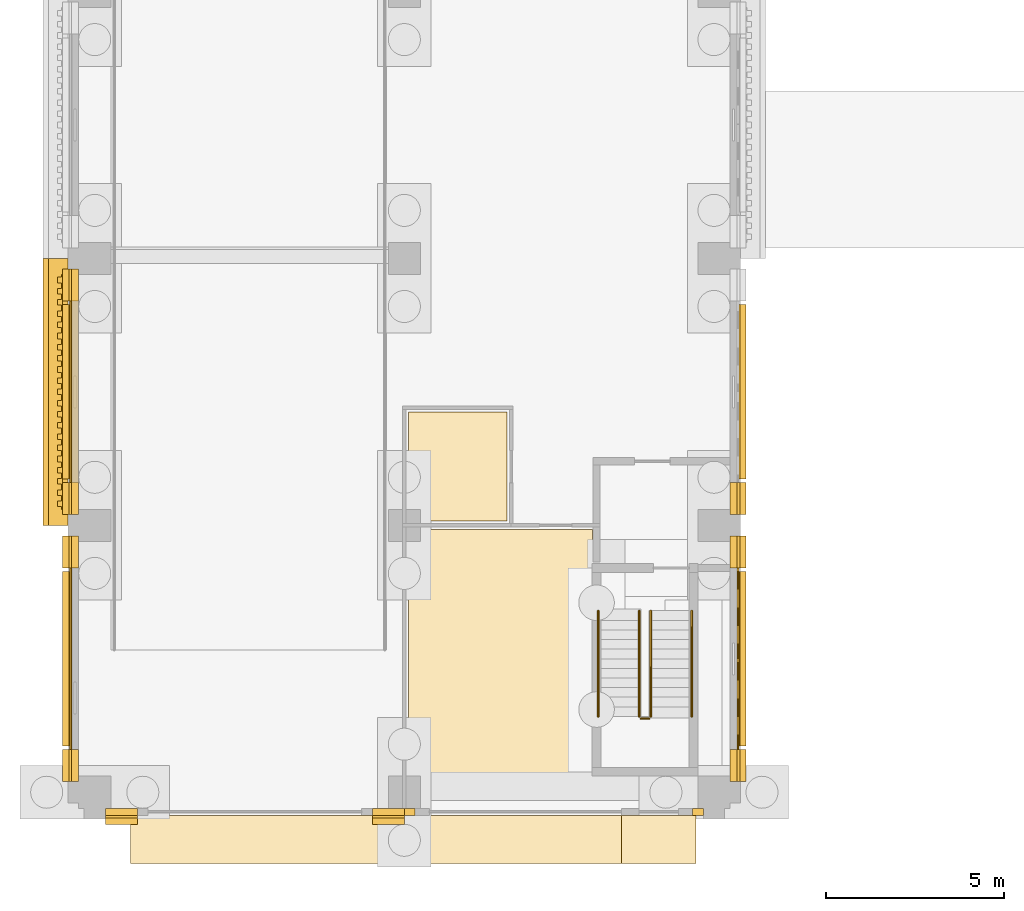
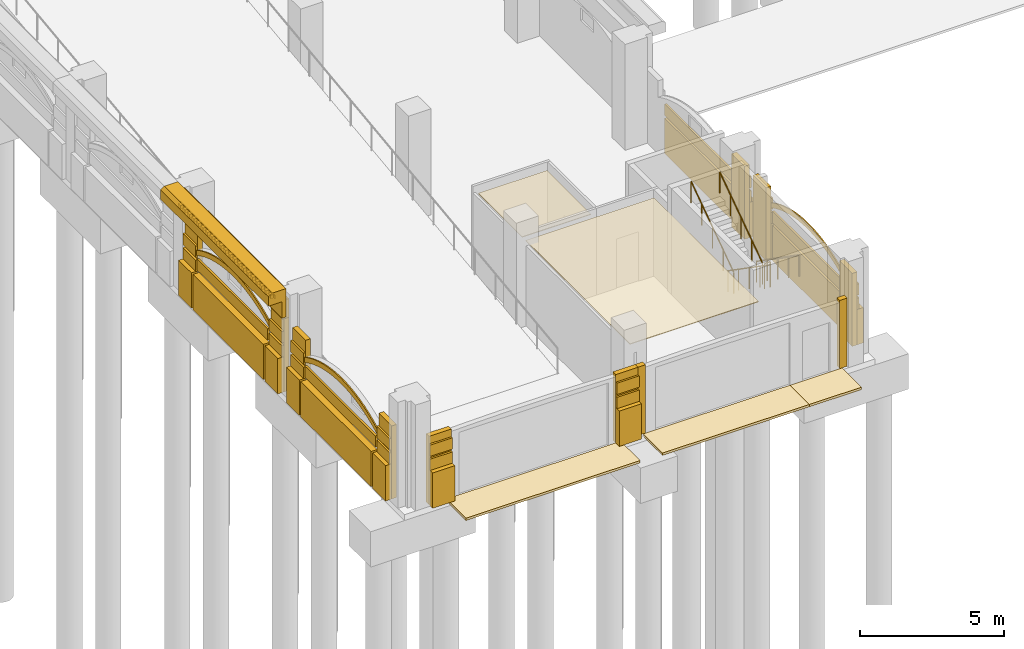
# One storey, part 60 of 99: 57 coverings, 5 railings.
"""IFC4 building model written with IfcOpenShell, lengths in metres."""

from ifc_helpers import new_model, si_unit, direction, frame, origin, origin_2d, place, context, subcontext, project, spatial, polyline, circle, outline, extrude, material, layer, layer_set, type_object, element, save


model = new_model("IFC4")

# Units and contexts
model_context = context("Model", 3, precision=1e-05, world=origin(), true_north=direction((0.0, 1.0)))
body_context = subcontext(model_context, "Body", "Model", "MODEL_VIEW")
ifc_project = project(units=[si_unit("LENGTHUNIT", "METRE"), si_unit("AREAUNIT", "SQUARE_METRE"), si_unit("VOLUMEUNIT", "CUBIC_METRE"), si_unit("PLANEANGLEUNIT", "RADIAN"), si_unit("MASSUNIT", "GRAM", prefix="KILO")], contexts=[model_context])

# Site, building, storey
site_placement = place(None, origin())
site = spatial("IfcSite", under=ifc_project, at=site_placement, CompositionType="ELEMENT")
building_placement = place(site_placement, origin())
building = spatial("IfcBuilding", under=site, at=building_placement, Name="Cour d'Honneur Mobility Palace", CompositionType="ELEMENT")
storey_placement = place(building_placement, origin())
storey = spatial("IfcBuildingStorey", under=building, at=storey_placement, Name="L00", CompositionType="ELEMENT", Elevation=0.0)

# Coverings
ifc_material_1 = material(Name="Cast limestone", Category="masonry")
ifc_layer_1 = layer(ifc_material_1, 0.050048828125)
ifc_layer_set_1 = layer_set([ifc_layer_1], Name="Cast limestone")
covering_type_1 = type_object("IfcCoveringType", Name="Arch hood", PredefinedType="CLADDING", material=ifc_layer_set_1)
for number, where, z_axis, x_axis, name in (
    (1, (18.10009765625, 1.199951171875, 2.179931640625), (1.0, 0.0, 0.0), (0.0, 0.893604607308, 0.448854994176), "Arch hood AH-1"),
    (2, (-0.699951171875, 13.800048828125, 2.179931640625), (-1.0, 0.0, 0.0), (0.0, -0.893604607308, 0.448854994176), "Arch hood AH-58"),
    (3, (-0.699951171875, 6.300048828125, 2.179931640625), (-1.0, 0.0, 0.0), (0.0, -0.893604607308, 0.448854994176), "Arch hood AH-59"),
):
    element("IfcCovering", number, at=place(storey_placement, frame(where, z_axis=z_axis, x_axis=x_axis)), inside=storey, type_object=covering_type_1, Name=name, PredefinedType="CLADDING", context=body_context, shape_type="SweptSolid", body=[
        extrude(outline(polyline([(0.0, 0.0), (0.35681066731556765, 2.7755575615628914e-17), (0.7020064606072944, -0.022579595743628944), (1.0367907964215308, -0.06643079839719385), (1.3617125957426337, -0.129916867910564), (1.677101612077335, -0.2118373946082709), (1.9837229270167351, -0.31175705040594615), (2.2813593776637964, -0.4290203374513023), (2.570556878131994, -0.5636282580346337), (2.8512068469728096, -0.7152530632297959), (3.1229815352600987, -0.884003334485308), (3.3862076896297117, -1.070316404466126), (3.640229812229361, -1.2744094360692875), (3.885155482217271, -1.4971560923344107), (4.120218615712047, -1.7395376154593394), (4.344433961354672, -2.0029715780165787), (4.557470763348117, -2.2892043037950724), (4.656205712018263, -2.0926374700096892), (4.44327849376363, -1.8061865790438643), (4.218953564382193, -1.5429707816739562), (3.9838904308874175, -1.3005892585490275), (3.73907434463832, -1.0776244370965733), (3.484942638299858, -0.873749570680743), (3.221716483930245, -0.6874365006999249), (2.949941795642956, -0.5186862294444128), (2.6692918268021404, -0.3670614242492506), (2.3800943263339427, -0.23245350366591921), (2.0824578756868815, -0.11519021662056306), (1.7758365607474815, -0.015270560822887802), (1.460557128151593, 0.06686813106215028), (1.1355257450916771, 0.1301360353881893), (0.8007414092774409, 0.17398723804175414), (0.4556551997245267, 0.1967849989727143), (0.09873494867014648, 0.19656683378538312), (0.0, 0.0)])), origin(), (0.0, 0.0, -1.0), 0.050048828125),
    ])
ifc_material_2 = material(Name="Cast limestone", Category="masonry")
ifc_layer_2 = layer(ifc_material_2, 0.14990234375)
ifc_layer_set_2 = layer_set([ifc_layer_2], Name="Cast limestone")
covering_type_2 = type_object("IfcCoveringType", Name="Dentil course", PredefinedType="CLADDING", material=ifc_layer_set_2)
covering_1_placement = place(storey_placement, frame((0.0, 0.0, 3.949951171875)))
element("IfcCovering", 4, at=covering_1_placement, inside=storey, type_object=covering_type_2, Name="Dentil course DC-69", PredefinedType="CLADDING", context=body_context, shape_type="SweptSolid", body=[
    extrude(outline(polyline([(-0.89990234375, 14.550048828125), (-0.89990234375, 7.949951171875), (-0.929931640625, 7.949951171875), (-0.929931640625, 7.949951171875), (-0.929931640625, 8.028564453125), (-1.050048828125, 8.028564453125), (-1.050048828125, 8.185791015625), (-0.929931640625, 8.185791015625), (-0.929931640625, 8.264404296875), (-0.929931640625, 8.264404296875), (-0.929931640625, 8.3427734375), (-1.050048828125, 8.3427734375), (-1.050048828125, 8.5), (-0.929931640625, 8.5), (-0.929931640625, 8.57861328125), (-0.929931640625, 8.57861328125), (-0.929931640625, 8.6572265625), (-1.050048828125, 8.6572265625), (-1.050048828125, 8.814208984375), (-0.929931640625, 8.814208984375), (-0.929931640625, 8.892822265625), (-0.929931640625, 8.892822265625), (-0.929931640625, 8.971435546875), (-1.050048828125, 8.971435546875), (-1.050048828125, 9.128662109375), (-0.929931640625, 9.128662109375), (-0.929931640625, 9.20703125), (-0.929931640625, 9.20703125), (-0.929931640625, 9.28564453125), (-1.050048828125, 9.28564453125), (-1.050048828125, 9.44287109375), (-0.929931640625, 9.44287109375), (-0.929931640625, 9.521484375), (-0.929931640625, 9.521484375), (-0.929931640625, 9.60009765625), (-1.050048828125, 9.60009765625), (-1.050048828125, 9.757080078125), (-0.929931640625, 9.757080078125), (-0.929931640625, 9.835693359375), (-0.929931640625, 9.835693359375), (-0.929931640625, 9.914306640625), (-1.050048828125, 9.914306640625), (-1.050048828125, 10.071533203125), (-0.929931640625, 10.071533203125), (-0.929931640625, 10.14990234375), (-0.929931640625, 10.14990234375), (-0.929931640625, 10.228515625), (-1.050048828125, 10.228515625), (-1.050048828125, 10.3857421875), (-0.929931640625, 10.3857421875), (-0.929931640625, 10.46435546875), (-0.929931640625, 10.46435546875), (-0.929931640625, 10.54296875), (-1.050048828125, 10.54296875), (-1.050048828125, 10.699951171875), (-0.929931640625, 10.699951171875), (-0.929931640625, 10.778564453125), (-0.929931640625, 10.778564453125), (-0.929931640625, 10.857177734375), (-1.050048828125, 10.857177734375), (-1.050048828125, 11.014404296875), (-0.929931640625, 11.014404296875), (-0.929931640625, 11.0927734375), (-0.929931640625, 11.0927734375), (-0.929931640625, 11.17138671875), (-1.050048828125, 11.17138671875), (-1.050048828125, 11.32861328125), (-0.929931640625, 11.32861328125), (-0.929931640625, 11.4072265625), (-0.929931640625, 11.4072265625), (-0.929931640625, 11.485595703125), (-1.050048828125, 11.485595703125), (-1.050048828125, 11.642822265625), (-0.929931640625, 11.642822265625), (-0.929931640625, 11.721435546875), (-0.929931640625, 11.721435546875), (-0.929931640625, 11.800048828125), (-1.050048828125, 11.800048828125), (-1.050048828125, 11.95703125), (-0.929931640625, 11.95703125), (-0.929931640625, 12.03564453125), (-0.929931640625, 12.03564453125), (-0.929931640625, 12.1142578125), (-1.050048828125, 12.1142578125), (-1.050048828125, 12.271484375), (-0.929931640625, 12.271484375), (-0.929931640625, 12.35009765625), (-0.929931640625, 12.35009765625), (-0.929931640625, 12.428466796875), (-1.050048828125, 12.428466796875), (-1.050048828125, 12.585693359375), (-0.929931640625, 12.585693359375), (-0.929931640625, 12.664306640625), (-0.929931640625, 12.664306640625), (-0.929931640625, 12.742919921875), (-1.050048828125, 12.742919921875), (-1.050048828125, 12.89990234375), (-0.929931640625, 12.89990234375), (-0.929931640625, 12.978515625), (-0.929931640625, 12.978515625), (-0.929931640625, 13.05712890625), (-1.050048828125, 13.05712890625), (-1.050048828125, 13.21435546875), (-0.929931640625, 13.21435546875), (-0.929931640625, 13.29296875), (-0.929931640625, 13.29296875), (-0.929931640625, 13.371337890625), (-1.050048828125, 13.371337890625), (-1.050048828125, 13.528564453125), (-0.929931640625, 13.528564453125), (-0.929931640625, 13.607177734375), (-0.929931640625, 13.607177734375), (-0.929931640625, 13.685791015625), (-1.050048828125, 13.685791015625), (-1.050048828125, 13.8427734375), (-0.929931640625, 13.8427734375), (-0.929931640625, 13.92138671875), (-0.929931640625, 13.92138671875), (-0.929931640625, 14.0), (-1.050048828125, 14.0), (-1.050048828125, 14.1572265625), (-0.929931640625, 14.1572265625), (-0.929931640625, 14.235595703125), (-0.929931640625, 14.235595703125), (-0.929931640625, 14.314208984375), (-1.050048828125, 14.314208984375), (-1.050048828125, 14.471435546875), (-0.929931640625, 14.471435546875), (-0.929931640625, 14.550048828125), (-0.89990234375, 14.550048828125)])), origin(), (0.0, 0.0, 1.0), 0.150146484375),
])
ifc_material_3 = material(Name="Cast limestone", Category="masonry")
ifc_layer_3 = layer(ifc_material_3, 0.699951171875)
ifc_layer_set_3 = layer_set([ifc_layer_3], Name="Cast limestone")
covering_type_3 = type_object("IfcCoveringType", Name="Entablature", PredefinedType="CLADDING", material=ifc_layer_set_3)
covering_2_placement = place(storey_placement, frame((-0.75, 15.0, 3.39990234375), z_axis=(0.0, 1.0, 0.0), x_axis=(-1.0, 0.0, 0.0)))
element("IfcCovering", 5, at=covering_2_placement, inside=storey, type_object=covering_type_3, Name="Entablature EN-69", PredefinedType="CLADDING", context=body_context, shape_type="SweptSolid", body=[
    extrude(outline(polyline([(0.0, 0.0), (0.14990234375, 0.0), (0.14990234375, 0.7001953125), (0.699951171875, 0.7001953125), (0.699951171875, 1.10009765625), (0.550048828125, 1.2001953125), (0.0, 1.2001953125), (0.0, 0.0)])), origin(), (0.0, 0.0, -1.0), 7.5),
])
ifc_material_4 = material(Name="Granite paving", Category="masonry")
ifc_layer_4 = layer(ifc_material_4, 0.10009765625)
ifc_layer_set_4 = layer_set([ifc_layer_4], Name="Granite paving")
covering_type_4 = type_object("IfcCoveringType", Name="Entrance paving", PredefinedType="FLOORING", material=ifc_layer_set_4)
covering_3_placement = place(storey_placement, frame((0.0, 0.0, -0.10009765625)))
element("IfcCovering", 6, at=covering_3_placement, inside=storey, type_object=covering_type_4, Name="Entrance paving PV-1", PredefinedType="FLOORING", context=body_context, shape_type="SweptSolid", body=[
    extrude(outline(polyline([(1.0, -0.64990234375), (8.0, -0.64990234375), (8.0, -2.0), (1.0, -2.0), (1.0, -0.64990234375)])), origin(), (0.0, 0.0, 1.0), 0.10009765625),
])
covering_4_placement = place(storey_placement, frame((0.0, 0.0, -0.10009765625)))
element("IfcCovering", 7, at=covering_4_placement, inside=storey, type_object=covering_type_4, Name="Entrance paving PV-2", PredefinedType="FLOORING", context=body_context, shape_type="SweptSolid", body=[
    extrude(outline(polyline([(8.89990234375, -0.64990234375), (15.300048828125, -0.64990234375), (15.300048828125, -2.0), (8.89990234375, -2.0), (8.89990234375, -0.64990234375)])), origin(), (0.0, 0.0, 1.0), 0.10009765625),
])
covering_5_placement = place(storey_placement, frame((0.0, 0.0, -0.10009765625)))
element("IfcCovering", 8, at=covering_5_placement, inside=storey, type_object=covering_type_4, Name="Entrance paving PV-3", PredefinedType="FLOORING", context=body_context, shape_type="SweptSolid", body=[
    extrude(outline(polyline([(14.800048828125, -0.64990234375), (16.89990234375, -0.64990234375), (16.89990234375, -2.0), (14.800048828125, -2.0), (14.800048828125, -0.64990234375)])), origin(), (0.0, 0.0, 1.0), 0.10009765625),
])

# Railings
ifc_material_5 = material(Name="Painted steel", Category="steel")
railing_type_1 = type_object("IfcRailingType", Name="Guardrail 1100", PredefinedType="GUARDRAIL", material=ifc_material_5)
railing_placement = place(storey_placement, frame((15.35009765625, 2.070068359375, 2.25)))
element("IfcRailing", 9, at=railing_placement, inside=storey, type_object=railing_type_1, Name="Landing guard ST-RW1", PredefinedType="GUARDRAIL", context=body_context, shape_type="SweptSolid", body=[
    extrude(circle(Radius=0.02490234375, at=origin_2d()), frame((0.0, 0.0, 1.0751953125), z_axis=(1.0, 0.0, 0.0), x_axis=(0.0, 1.0, 0.0)), (0.0, 0.0, 1.0), 0.224853515625),
    extrude(circle(Radius=0.02099609375, at=origin_2d()), origin(), (0.0, 0.0, 1.0), 1.050048828125),
    extrude(circle(Radius=0.02099609375, at=origin_2d()), frame((0.224853515625, 0.0, 0.0)), (0.0, 0.0, 1.0), 1.050048828125),
])
ifc_material_6 = material(Name="Stainless steel", Category="steel")
railing_type_2 = type_object("IfcRailingType", Name="Handrail round 50", PredefinedType="HANDRAIL", material=ifc_material_6)
for number, where, name in (
    (10, (16.77490234375, 5.10009765625, 0.1875), "Handrail ST-RW1"),
    (11, (15.625, 5.10009765625, 0.1875), "Handrail ST-RW1"),
):
    element("IfcRailing", number, at=place(storey_placement, frame(where)), inside=storey, type_object=railing_type_2, Name=name, PredefinedType="HANDRAIL", context=body_context, shape_type="SweptSolid", body=[
        extrude(circle(Radius=0.02490234375, at=origin_2d()), frame((0.0, 0.0, 0.89501953125), z_axis=(0.0, -0.821389295411, 0.570367973667), x_axis=(1.0, 0.0, 0.0)), (0.0, 0.0, 1.0), 3.615966796875),
        extrude(circle(Radius=0.02099609375, at=origin_2d()), origin(), (0.0, 0.0, 1.0), 0.869873046875),
        extrude(circle(Radius=0.02099609375, at=origin_2d()), frame((0.0, -0.74267578125, 0.515625)), (0.0, 0.0, 1.0), 0.869873046875),
        extrude(circle(Radius=0.02099609375, at=origin_2d()), frame((0.0, -1.485107421875, 1.03125)), (0.0, 0.0, 1.0), 0.869873046875),
        extrude(circle(Radius=0.02099609375, at=origin_2d()), frame((0.0, -2.2275390625, 1.546875)), (0.0, 0.0, 1.0), 0.869873046875),
        extrude(circle(Radius=0.02099609375, at=origin_2d()), frame((0.0, -2.97021484375, 2.0625)), (0.0, 0.0, 1.0), 0.869873046875),
    ])
for number, where, name in (
    (12, (15.300048828125, 2.1298828125, 2.4375), "Handrail ST-RW1"),
    (13, (14.14990234375, 2.1298828125, 2.4375), "Handrail ST-RW1"),
):
    element("IfcRailing", number, at=place(storey_placement, frame(where)), inside=storey, type_object=railing_type_2, Name=name, PredefinedType="HANDRAIL", context=body_context, shape_type="SweptSolid", body=[
        extrude(circle(Radius=0.02490234375, at=origin_2d()), frame((0.0, 0.0, 0.89501953125), z_axis=(0.0, 0.821389295411, 0.570367973667), x_axis=(-1.0, 0.0, 0.0)), (0.0, 0.0, 1.0), 3.615966796875),
        extrude(circle(Radius=0.02099609375, at=origin_2d()), origin(), (0.0, 0.0, 1.0), 0.869873046875),
        extrude(circle(Radius=0.02099609375, at=origin_2d()), frame((0.0, 0.74267578125, 0.515625)), (0.0, 0.0, 1.0), 0.869873046875),
        extrude(circle(Radius=0.02099609375, at=origin_2d()), frame((0.0, 1.485107421875, 1.03125)), (0.0, 0.0, 1.0), 0.869873046875),
        extrude(circle(Radius=0.02099609375, at=origin_2d()), frame((0.0, 2.2275390625, 1.546875)), (0.0, 0.0, 1.0), 0.869873046875),
        extrude(circle(Radius=0.02099609375, at=origin_2d()), frame((0.0, 2.97021484375, 2.0625)), (0.0, 0.0, 1.0), 0.869873046875),
    ])

# Coverings
ifc_material_7 = material(Name="Cast limestone", Category="masonry")
ifc_layer_5 = layer(ifc_material_7, 0.25)
ifc_layer_set_5 = layer_set([ifc_layer_5], Name="Cast limestone")
covering_type_5 = type_object("IfcCoveringType", Name="Plinth course", PredefinedType="CLADDING", material=ifc_layer_set_5)
covering_6_placement = place(storey_placement, origin())
element("IfcCovering", 14, at=covering_6_placement, inside=storey, type_object=covering_type_5, Name="Plinth course PI-1", PredefinedType="CLADDING", context=body_context, shape_type="SweptSolid", body=[
    extrude(outline(polyline([(0.300048828125, -0.64990234375), (1.199951171875, -0.64990234375), (1.199951171875, -0.89990234375), (0.300048828125, -0.89990234375), (0.300048828125, -0.64990234375)])), origin(), (0.0, 0.0, 1.0), 1.5),
])
covering_7_placement = place(storey_placement, origin())
element("IfcCovering", 15, at=covering_7_placement, inside=storey, type_object=covering_type_5, Name="Plinth course PI-2", PredefinedType="CLADDING", context=body_context, shape_type="SweptSolid", body=[
    extrude(outline(polyline([(7.800048828125, -0.64990234375), (8.699951171875, -0.64990234375), (8.699951171875, -0.89990234375), (7.800048828125, -0.89990234375), (7.800048828125, -0.64990234375)])), origin(), (0.0, 0.0, 1.0), 1.5),
])
covering_8_placement = place(storey_placement, origin())
element("IfcCovering", 16, at=covering_8_placement, inside=storey, type_object=covering_type_5, Name="Plinth course PI-3", PredefinedType="CLADDING", context=body_context, shape_type="SweptSolid", body=[
    extrude(outline(polyline([(18.050048828125, 0.300048828125), (18.050048828125, 1.199951171875), (18.300048828125, 1.199951171875), (18.300048828125, 0.300048828125), (18.050048828125, 0.300048828125)])), origin(), (0.0, 0.0, 1.0), 1.5),
])
covering_9_placement = place(storey_placement, origin())
element("IfcCovering", 17, at=covering_9_placement, inside=storey, type_object=covering_type_5, Name="Plinth course PI-4", PredefinedType="CLADDING", context=body_context, shape_type="SweptSolid", body=[
    extrude(outline(polyline([(18.050048828125, 6.300048828125), (18.050048828125, 7.199951171875), (18.300048828125, 7.199951171875), (18.300048828125, 6.300048828125), (18.050048828125, 6.300048828125)])), origin(), (0.0, 0.0, 1.0), 1.5),
])
covering_10_placement = place(storey_placement, origin())
element("IfcCovering", 18, at=covering_10_placement, inside=storey, type_object=covering_type_5, Name="Plinth course PI-5", PredefinedType="CLADDING", context=body_context, shape_type="SweptSolid", body=[
    extrude(outline(polyline([(18.050048828125, 1.300048828125), (18.050048828125, 6.199951171875), (18.300048828125, 6.199951171875), (18.300048828125, 1.300048828125), (18.050048828125, 1.300048828125)])), origin(), (0.0, 0.0, 1.0), 1.5),
])
covering_11_placement = place(storey_placement, origin())
element("IfcCovering", 19, at=covering_11_placement, inside=storey, type_object=covering_type_5, Name="Plinth course PI-6", PredefinedType="CLADDING", context=body_context, shape_type="SweptSolid", body=[
    extrude(outline(polyline([(18.050048828125, 7.800048828125), (18.050048828125, 8.699951171875), (18.300048828125, 8.699951171875), (18.300048828125, 7.800048828125), (18.050048828125, 7.800048828125)])), origin(), (0.0, 0.0, 1.0), 1.5),
])
covering_12_placement = place(storey_placement, origin())
element("IfcCovering", 20, at=covering_12_placement, inside=storey, type_object=covering_type_5, Name="Plinth course PI-8", PredefinedType="CLADDING", context=body_context, shape_type="SweptSolid", body=[
    extrude(outline(polyline([(18.050048828125, 8.800048828125), (18.050048828125, 13.699951171875), (18.300048828125, 13.699951171875), (18.300048828125, 8.800048828125), (18.050048828125, 8.800048828125)])), origin(), (0.0, 0.0, 1.0), 1.5),
])
covering_13_placement = place(storey_placement, origin())
element("IfcCovering", 21, at=covering_13_placement, inside=storey, type_object=covering_type_5, Name="Plinth course PI-225", PredefinedType="CLADDING", context=body_context, shape_type="SweptSolid", body=[
    extrude(outline(polyline([(-0.64990234375, 14.699951171875), (-0.64990234375, 13.800048828125), (-0.89990234375, 13.800048828125), (-0.89990234375, 14.699951171875), (-0.64990234375, 14.699951171875)])), origin(), (0.0, 0.0, 1.0), 1.5),
])
covering_14_placement = place(storey_placement, origin())
element("IfcCovering", 22, at=covering_14_placement, inside=storey, type_object=covering_type_5, Name="Plinth course PI-226", PredefinedType="CLADDING", context=body_context, shape_type="SweptSolid", body=[
    extrude(outline(polyline([(-0.64990234375, 8.699951171875), (-0.64990234375, 7.800048828125), (-0.89990234375, 7.800048828125), (-0.89990234375, 8.699951171875), (-0.64990234375, 8.699951171875)])), origin(), (0.0, 0.0, 1.0), 1.5),
])
covering_15_placement = place(storey_placement, origin())
element("IfcCovering", 23, at=covering_15_placement, inside=storey, type_object=covering_type_5, Name="Plinth course PI-227", PredefinedType="CLADDING", context=body_context, shape_type="SweptSolid", body=[
    extrude(outline(polyline([(-0.64990234375, 13.699951171875), (-0.64990234375, 8.800048828125), (-0.89990234375, 8.800048828125), (-0.89990234375, 13.699951171875), (-0.64990234375, 13.699951171875)])), origin(), (0.0, 0.0, 1.0), 1.5),
])
covering_16_placement = place(storey_placement, origin())
element("IfcCovering", 24, at=covering_16_placement, inside=storey, type_object=covering_type_5, Name="Plinth course PI-228", PredefinedType="CLADDING", context=body_context, shape_type="SweptSolid", body=[
    extrude(outline(polyline([(-0.64990234375, 7.199951171875), (-0.64990234375, 6.300048828125), (-0.89990234375, 6.300048828125), (-0.89990234375, 7.199951171875), (-0.64990234375, 7.199951171875)])), origin(), (0.0, 0.0, 1.0), 1.5),
])
covering_17_placement = place(storey_placement, origin())
element("IfcCovering", 25, at=covering_17_placement, inside=storey, type_object=covering_type_5, Name="Plinth course PI-229", PredefinedType="CLADDING", context=body_context, shape_type="SweptSolid", body=[
    extrude(outline(polyline([(-0.64990234375, 1.199951171875), (-0.64990234375, 0.300048828125), (-0.89990234375, 0.300048828125), (-0.89990234375, 1.199951171875), (-0.64990234375, 1.199951171875)])), origin(), (0.0, 0.0, 1.0), 1.5),
])
covering_18_placement = place(storey_placement, origin())
element("IfcCovering", 26, at=covering_18_placement, inside=storey, type_object=covering_type_5, Name="Plinth course PI-230", PredefinedType="CLADDING", context=body_context, shape_type="SweptSolid", body=[
    extrude(outline(polyline([(-0.64990234375, 6.199951171875), (-0.64990234375, 1.300048828125), (-0.89990234375, 1.300048828125), (-0.89990234375, 6.199951171875), (-0.64990234375, 6.199951171875)])), origin(), (0.0, 0.0, 1.0), 1.5),
])
ifc_material_8 = material(Name="Cast limestone", Category="masonry")
ifc_layer_6 = layer(ifc_material_8, 0.199951171875)
ifc_layer_set_6 = layer_set([ifc_layer_6], Name="Cast limestone")
covering_type_6 = type_object("IfcCoveringType", Name="Rusticated jamb panel", PredefinedType="CLADDING", material=ifc_layer_set_6)
for number, where, z_axis, x_axis, name in (
    (27, (0.300048828125, -0.64990234375, 0.0), (0.0, -1.0, 0.0), (1.0, 0.0, 0.0), "Rusticated jamb panel RP-1"),
    (28, (7.800048828125, -0.64990234375, 0.0), (0.0, -1.0, 0.0), (1.0, 0.0, 0.0), "Rusticated jamb panel RP-2"),
):
    element("IfcCovering", number, at=place(storey_placement, frame(where, z_axis=z_axis, x_axis=x_axis)), inside=storey, type_object=covering_type_6, Name=name, PredefinedType="CLADDING", context=body_context, shape_type="SweptSolid", body=[
        extrude(outline(polyline([(0.0, 0.0), (0.89990234375, 0.0), (0.89990234375, 2.89990234375), (0.0, 2.89990234375), (0.0, 0.0)])), origin(), (0.0, 0.0, -1.0), 0.199951171875),
    ])
for number, where, z_axis, x_axis, name in (
    (29, (8.699951171875, -0.64990234375, 0.0), (0.0, -1.0, 0.0), (1.0, 0.0, 0.0), "Rusticated jamb panel RP-3"),
    (30, (16.800048828125, -0.64990234375, 0.0), (0.0, -1.0, 0.0), (1.0, 0.0, 0.0), "Rusticated jamb panel RP-4"),
):
    element("IfcCovering", number, at=place(storey_placement, frame(where, z_axis=z_axis, x_axis=x_axis)), inside=storey, type_object=covering_type_6, Name=name, PredefinedType="CLADDING", context=body_context, shape_type="SweptSolid", body=[
        extrude(outline(polyline([(0.0, 0.0), (0.300048828125, 0.0), (0.300048828125, 2.89990234375), (0.0, 2.89990234375), (0.0, 0.0)])), origin(), (0.0, 0.0, -1.0), 0.199951171875),
    ])
for number, where, z_axis, x_axis, name in (
    (31, (18.050048828125, 0.300048828125, 0.0), (1.0, 0.0, 0.0), (0.0, 1.0, 0.0), "Rusticated jamb panel RP-5"),
    (32, (18.050048828125, 6.300048828125, 0.0), (1.0, 0.0, 0.0), (0.0, 1.0, 0.0), "Rusticated jamb panel RP-6"),
    (33, (18.050048828125, 7.800048828125, 0.0), (1.0, 0.0, 0.0), (0.0, 1.0, 0.0), "Rusticated jamb panel RP-7"),
    (34, (-0.64990234375, 14.699951171875, 0.0), (-1.0, 0.0, 0.0), (0.0, -1.0, 0.0), "Rusticated jamb panel RP-188"),
    (35, (-0.64990234375, 8.699951171875, 0.0), (-1.0, 0.0, 0.0), (0.0, -1.0, 0.0), "Rusticated jamb panel RP-189"),
    (36, (-0.64990234375, 7.199951171875, 0.0), (-1.0, 0.0, 0.0), (0.0, -1.0, 0.0), "Rusticated jamb panel RP-190"),
    (37, (-0.64990234375, 1.199951171875, 0.0), (-1.0, 0.0, 0.0), (0.0, -1.0, 0.0), "Rusticated jamb panel RP-191"),
):
    element("IfcCovering", number, at=place(storey_placement, frame(where, z_axis=z_axis, x_axis=x_axis)), inside=storey, type_object=covering_type_6, Name=name, PredefinedType="CLADDING", context=body_context, shape_type="SweptSolid", body=[
        extrude(outline(polyline([(0.0, 0.0), (0.89990234375, 0.0), (0.89990234375, 3.10009765625), (0.0, 3.10009765625), (0.0, 0.0)])), origin(), (0.0, 0.0, -1.0), 0.199951171875),
    ])
ifc_material_9 = material(Name="Cast limestone", Category="masonry")
ifc_layer_7 = layer(ifc_material_9, 0.080078125)
ifc_layer_set_7 = layer_set([ifc_layer_7], Name="Cast limestone")
covering_type_7 = type_object("IfcCoveringType", Name="Rustication course", PredefinedType="CLADDING", material=ifc_layer_set_7)
for number, where, name in (
    (38, (0.0, 0.0, 1.5), "Rustication course RC-1"),
    (39, (0.0, 0.0, 2.10009765625), "Rustication course RC-2"),
):
    element("IfcCovering", number, at=place(storey_placement, frame(where)), inside=storey, type_object=covering_type_7, Name=name, PredefinedType="CLADDING", context=body_context, shape_type="SweptSolid", body=[
        extrude(outline(polyline([(0.300048828125, -0.64990234375), (1.199951171875, -0.64990234375), (1.199951171875, -0.72998046875), (0.300048828125, -0.72998046875), (0.300048828125, -0.64990234375)])), origin(), (0.0, 0.0, 1.0), 0.47998046875),
    ])
for number, where, name in (
    (40, (0.0, 0.0, 1.5), "Rustication course RC-3"),
    (41, (0.0, 0.0, 2.10009765625), "Rustication course RC-4"),
):
    element("IfcCovering", number, at=place(storey_placement, frame(where)), inside=storey, type_object=covering_type_7, Name=name, PredefinedType="CLADDING", context=body_context, shape_type="SweptSolid", body=[
        extrude(outline(polyline([(7.800048828125, -0.64990234375), (8.699951171875, -0.64990234375), (8.699951171875, -0.72998046875), (7.800048828125, -0.72998046875), (7.800048828125, -0.64990234375)])), origin(), (0.0, 0.0, 1.0), 0.47998046875),
    ])
for number, where, name in (
    (42, (0.0, 0.0, 1.5), "Rustication course RC-5"),
    (43, (0.0, 0.0, 2.10009765625), "Rustication course RC-6"),
):
    element("IfcCovering", number, at=place(storey_placement, frame(where)), inside=storey, type_object=covering_type_7, Name=name, PredefinedType="CLADDING", context=body_context, shape_type="SweptSolid", body=[
        extrude(outline(polyline([(18.050048828125, 0.300048828125), (18.050048828125, 1.199951171875), (18.1298828125, 1.199951171875), (18.1298828125, 0.300048828125), (18.050048828125, 0.300048828125)])), origin(), (0.0, 0.0, 1.0), 0.47998046875),
    ])
for number, where, name in (
    (44, (0.0, 0.0, 1.5), "Rustication course RC-7"),
    (45, (0.0, 0.0, 2.10009765625), "Rustication course RC-8"),
):
    element("IfcCovering", number, at=place(storey_placement, frame(where)), inside=storey, type_object=covering_type_7, Name=name, PredefinedType="CLADDING", context=body_context, shape_type="SweptSolid", body=[
        extrude(outline(polyline([(18.050048828125, 6.300048828125), (18.050048828125, 7.199951171875), (18.1298828125, 7.199951171875), (18.1298828125, 6.300048828125), (18.050048828125, 6.300048828125)])), origin(), (0.0, 0.0, 1.0), 0.47998046875),
    ])
covering_19_placement = place(storey_placement, frame((0.0, 0.0, 1.6201171875)))
element("IfcCovering", 46, at=covering_19_placement, inside=storey, type_object=covering_type_7, Name="Rustication course RC-9", PredefinedType="CLADDING", context=body_context, shape_type="SweptSolid", body=[
    extrude(outline(polyline([(18.050048828125, 1.300048828125), (18.050048828125, 6.199951171875), (18.1298828125, 6.199951171875), (18.1298828125, 1.300048828125), (18.050048828125, 1.300048828125)])), origin(), (0.0, 0.0, 1.0), 0.47998046875),
])
for number, where, name in (
    (47, (0.0, 0.0, 1.5), "Rustication course RC-10"),
    (48, (0.0, 0.0, 2.10009765625), "Rustication course RC-11"),
):
    element("IfcCovering", number, at=place(storey_placement, frame(where)), inside=storey, type_object=covering_type_7, Name=name, PredefinedType="CLADDING", context=body_context, shape_type="SweptSolid", body=[
        extrude(outline(polyline([(18.050048828125, 7.800048828125), (18.050048828125, 8.699951171875), (18.1298828125, 8.699951171875), (18.1298828125, 7.800048828125), (18.050048828125, 7.800048828125)])), origin(), (0.0, 0.0, 1.0), 0.47998046875),
    ])
covering_20_placement = place(storey_placement, frame((0.0, 0.0, 1.6201171875)))
element("IfcCovering", 49, at=covering_20_placement, inside=storey, type_object=covering_type_7, Name="Rustication course RC-14", PredefinedType="CLADDING", context=body_context, shape_type="SweptSolid", body=[
    extrude(outline(polyline([(18.050048828125, 8.800048828125), (18.050048828125, 13.699951171875), (18.1298828125, 13.699951171875), (18.1298828125, 8.800048828125), (18.050048828125, 8.800048828125)])), origin(), (0.0, 0.0, 1.0), 0.47998046875),
])
for number, where, name in (
    (50, (0.0, 0.0, 1.5), "Rustication course RC-408"),
    (51, (0.0, 0.0, 2.10009765625), "Rustication course RC-409"),
):
    element("IfcCovering", number, at=place(storey_placement, frame(where)), inside=storey, type_object=covering_type_7, Name=name, PredefinedType="CLADDING", context=body_context, shape_type="SweptSolid", body=[
        extrude(outline(polyline([(-0.64990234375, 14.699951171875), (-0.64990234375, 13.800048828125), (-0.72998046875, 13.800048828125), (-0.72998046875, 14.699951171875), (-0.64990234375, 14.699951171875)])), origin(), (0.0, 0.0, 1.0), 0.47998046875),
    ])
for number, where, name in (
    (52, (0.0, 0.0, 1.5), "Rustication course RC-410"),
    (53, (0.0, 0.0, 2.10009765625), "Rustication course RC-411"),
):
    element("IfcCovering", number, at=place(storey_placement, frame(where)), inside=storey, type_object=covering_type_7, Name=name, PredefinedType="CLADDING", context=body_context, shape_type="SweptSolid", body=[
        extrude(outline(polyline([(-0.64990234375, 8.699951171875), (-0.64990234375, 7.800048828125), (-0.72998046875, 7.800048828125), (-0.72998046875, 8.699951171875), (-0.64990234375, 8.699951171875)])), origin(), (0.0, 0.0, 1.0), 0.47998046875),
    ])
covering_21_placement = place(storey_placement, frame((0.0, 0.0, 1.6201171875)))
element("IfcCovering", 54, at=covering_21_placement, inside=storey, type_object=covering_type_7, Name="Rustication course RC-412", PredefinedType="CLADDING", context=body_context, shape_type="SweptSolid", body=[
    extrude(outline(polyline([(-0.64990234375, 13.699951171875), (-0.64990234375, 8.800048828125), (-0.72998046875, 8.800048828125), (-0.72998046875, 13.699951171875), (-0.64990234375, 13.699951171875)])), origin(), (0.0, 0.0, 1.0), 0.47998046875),
])
for number, where, name in (
    (55, (0.0, 0.0, 1.5), "Rustication course RC-413"),
    (56, (0.0, 0.0, 2.10009765625), "Rustication course RC-414"),
):
    element("IfcCovering", number, at=place(storey_placement, frame(where)), inside=storey, type_object=covering_type_7, Name=name, PredefinedType="CLADDING", context=body_context, shape_type="SweptSolid", body=[
        extrude(outline(polyline([(-0.64990234375, 7.199951171875), (-0.64990234375, 6.300048828125), (-0.72998046875, 6.300048828125), (-0.72998046875, 7.199951171875), (-0.64990234375, 7.199951171875)])), origin(), (0.0, 0.0, 1.0), 0.47998046875),
    ])
for number, where, name in (
    (57, (0.0, 0.0, 1.5), "Rustication course RC-415"),
    (58, (0.0, 0.0, 2.10009765625), "Rustication course RC-416"),
):
    element("IfcCovering", number, at=place(storey_placement, frame(where)), inside=storey, type_object=covering_type_7, Name=name, PredefinedType="CLADDING", context=body_context, shape_type="SweptSolid", body=[
        extrude(outline(polyline([(-0.64990234375, 1.199951171875), (-0.64990234375, 0.300048828125), (-0.72998046875, 0.300048828125), (-0.72998046875, 1.199951171875), (-0.64990234375, 1.199951171875)])), origin(), (0.0, 0.0, 1.0), 0.47998046875),
    ])
covering_22_placement = place(storey_placement, frame((0.0, 0.0, 1.6201171875)))
element("IfcCovering", 59, at=covering_22_placement, inside=storey, type_object=covering_type_7, Name="Rustication course RC-417", PredefinedType="CLADDING", context=body_context, shape_type="SweptSolid", body=[
    extrude(outline(polyline([(-0.64990234375, 6.199951171875), (-0.64990234375, 1.300048828125), (-0.72998046875, 1.300048828125), (-0.72998046875, 6.199951171875), (-0.64990234375, 6.199951171875)])), origin(), (0.0, 0.0, 1.0), 0.47998046875),
])
ifc_material_10 = material(Name="Cast limestone", Category="masonry")
ifc_layer_8 = layer(ifc_material_10, 0.25)
ifc_layer_set_8 = layer_set([ifc_layer_8], Name="Cast limestone")
covering_type_8 = type_object("IfcCoveringType", Name="Spandrel cladding", PredefinedType="CLADDING", material=ifc_layer_set_8)
covering_23_placement = place(storey_placement, frame((-0.449951171875, 14.699951171875, 3.10009765625), z_axis=(0.0, 1.0, 0.0), x_axis=(-1.0, 0.0, 0.0)))
element("IfcCovering", 60, at=covering_23_placement, inside=storey, type_object=covering_type_8, Name="Spandrel cladding SK-69", PredefinedType="CLADDING", context=body_context, shape_type="SweptSolid", body=[
    extrude(outline(polyline([(0.0, 0.0), (0.25, 0.0), (0.25, 1.39990234375), (0.199951171875, 1.39990234375), (0.199951171875, 0.7998046875), (0.0, 0.7998046875), (0.0, 0.0)])), origin(), (0.0, 0.0, -1.0), 6.89990234375),
])
ifc_material_11 = material(Name="Suspended ceiling")
ifc_layer_9 = layer(ifc_material_11, 0.030029296875)
ifc_layer_set_9 = layer_set([ifc_layer_9], Name="Suspended ceiling")
covering_type_9 = type_object("IfcCoveringType", Name="Suspended ceiling", PredefinedType="CEILING", material=ifc_layer_set_9)
covering_24_placement = place(storey_placement, frame((0.0, 0.0, 3.35009765625)))
element("IfcCovering", 61, at=covering_24_placement, inside=storey, type_object=covering_type_9, Name="Ceiling Cashier Kiosk West", PredefinedType="CEILING", context=body_context, shape_type="SweptSolid", body=[
    extrude(outline(polyline([(11.580078125, 7.6201171875), (8.820068359375, 7.6201171875), (8.820068359375, 10.679931640625), (11.580078125, 10.679931640625), (11.580078125, 7.6201171875)])), origin(), (0.0, 0.0, 1.0), 0.02978515625),
])
covering_25_placement = place(storey_placement, frame((0.0, 0.0, 3.35009765625)))
element("IfcCovering", 62, at=covering_25_placement, inside=storey, type_object=covering_type_9, Name="Ceiling Parking Control Room", PredefinedType="CEILING", context=body_context, shape_type="SweptSolid", body=[
    extrude(outline(polyline([(13.97998046875, 0.1201171875), (8.820068359375, 0.1201171875), (8.820068359375, 7.3798828125), (13.97998046875, 7.3798828125), (13.97998046875, 0.1201171875)])), origin(), (0.0, 0.0, 1.0), 0.02978515625),
])

save(model, "model.ifc")
